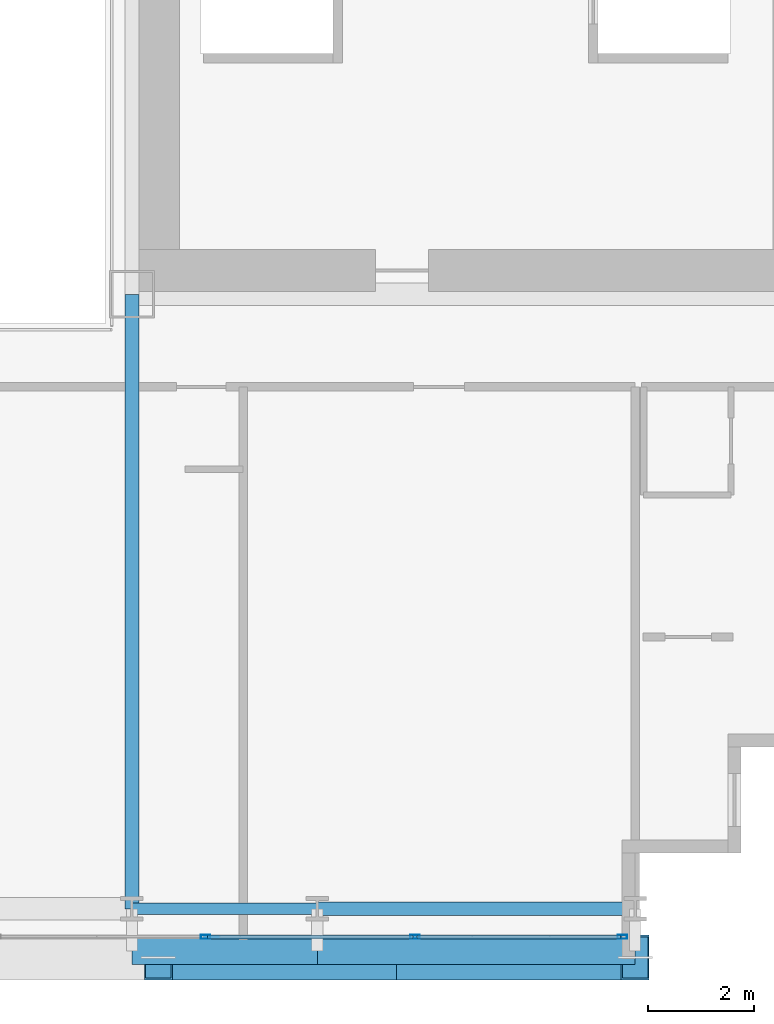
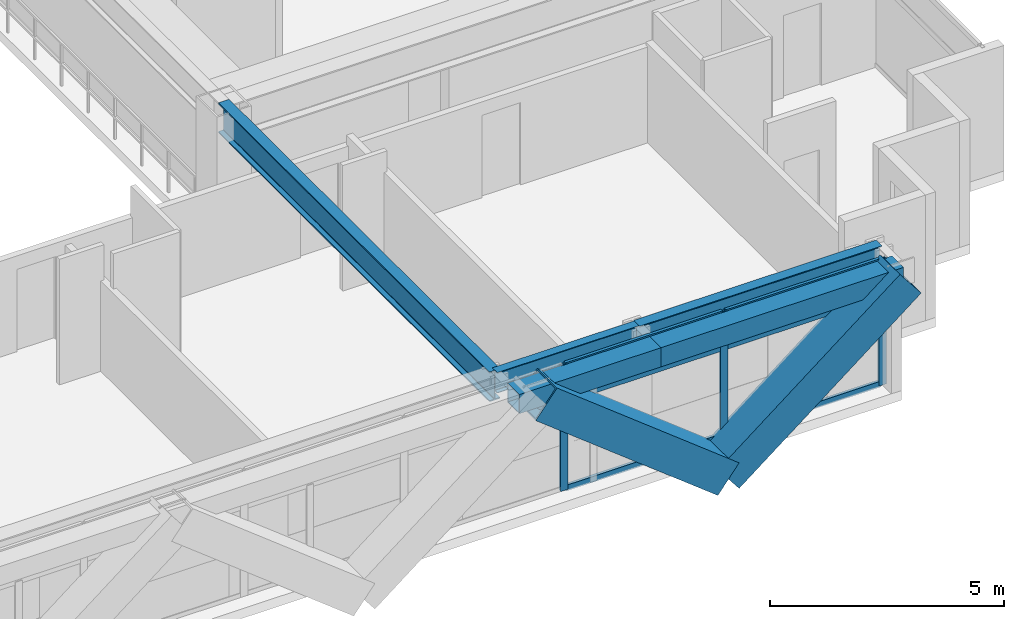
# One storey, part 10 of 35: 11 members, 5 beams, 1 element without a shape of its own.
"""IFC4 building model written with IfcOpenShell, lengths in metres."""

from ifc_helpers import new_model, si_unit, direction, frame, origin, origin_2d, place, context, subcontext, project, spatial, hollow_rectangle, i_section, extrude, source, transform, mapped, material, layer, layer_set, material_profile, profile_set, type_object, element, aggregate, save


model = new_model("IFC4")

# Units and contexts
model_context = context("Model", 3, precision=1e-05, world=origin(), true_north=direction((0.0, 1.0)))
body_context = subcontext(model_context, "Body", "Model", "MODEL_VIEW")
ifc_project = project(units=[si_unit("LENGTHUNIT", "METRE"), si_unit("AREAUNIT", "SQUARE_METRE"), si_unit("VOLUMEUNIT", "CUBIC_METRE"), si_unit("PLANEANGLEUNIT", "RADIAN"), si_unit("MASSUNIT", "GRAM", prefix="KILO")], contexts=[model_context])

# Site, building, storey
site_placement = place(None, origin())
site = spatial("IfcSite", under=ifc_project, at=site_placement, CompositionType="ELEMENT")
building_placement = place(site_placement, origin())
building = spatial("IfcBuilding", under=site, at=building_placement, Name="Ocotamira Hotel", CompositionType="ELEMENT")
storey_placement = place(building_placement, frame((0.0, 0.0, 81.60009765625)))
storey = spatial("IfcBuildingStorey", under=building, at=storey_placement, Name="L20", CompositionType="ELEMENT", Elevation=81.60009765625)

# Beams
ifc_material_1 = material(Name="Steel ASTM A992 Grade 50", Category="steel")
ifc_material_profile_1 = material_profile(ifc_material_1, i_section(OverallWidth=0.256103515625, OverallDepth=0.693115234375, WebThickness=0.014404296875, FlangeThickness=0.023681640625, FilletRadius=0.01611328125, at=origin_2d()), Name="W27X114")
ifc_profile_set_1 = profile_set([ifc_material_profile_1], Name="Steel ASTM A992 Grade 50")
beam_type_1 = type_object("IfcBeamType", Name="BM-PRIM-W27X114", PredefinedType="BEAM", material=ifc_profile_set_1)
shared_shape_1 = source(origin(), body_context, "Body", "SweptSolid", [
    extrude(i_section(OverallWidth=0.256103515625, OverallDepth=0.693115234375, WebThickness=0.014404296875, FlangeThickness=0.023681640625, FilletRadius=0.01611328125, at=origin_2d()), origin(), (0.0, 0.0, 1.0), 6.0),
])
beam_1_placement = place(storey_placement, frame((44.0, 2.949951171875, 2.933349609375), z_axis=(1.0, 0.0, 0.0), x_axis=(0.0, 1.0, 0.0)))
element("IfcBeam", 1, at=beam_1_placement, inside=storey, type_object=beam_type_1, Name="L20 Girder Y2.95 X44-50", PredefinedType="BEAM", context=body_context, shape_type="MappedRepresentation", body=[
    mapped(shared_shape_1, transform((0.0, 0.0, 0.0), scale=1.0)),
])
ifc_material_profile_2 = material_profile(ifc_material_1, i_section(OverallWidth=0.2099609375, OverallDepth=0.537109375, WebThickness=0.010986328125, FlangeThickness=0.017333984375, FilletRadius=0.012939453125, at=origin_2d()), Name="W21X68")
ifc_profile_set_2 = profile_set([ifc_material_profile_2], Name="Steel ASTM A992 Grade 50")
beam_type_2 = type_object("IfcBeamType", Name="BM-SEC-W21X68", PredefinedType="JOIST", material=ifc_profile_set_2)
shared_shape_2 = source(origin(), body_context, "Body", "SweptSolid", [
    extrude(i_section(OverallWidth=0.2099609375, OverallDepth=0.537109375, WebThickness=0.010986328125, FlangeThickness=0.017333984375, FilletRadius=0.012939453125, at=origin_2d()), origin(), (0.0, 0.0, 1.0), 3.5),
])
beam_2_placement = place(storey_placement, frame((40.5, 2.949951171875, 3.011474609375), z_axis=(1.0, 0.0, 0.0), x_axis=(0.0, 1.0, 0.0)))
element("IfcBeam", 2, at=beam_2_placement, inside=storey, type_object=beam_type_2, Name="L20 Girder Y2.95 X40.5-44", PredefinedType="JOIST", context=body_context, shape_type="MappedRepresentation", body=[
    mapped(shared_shape_2, transform((0.0, 0.0, 0.0), scale=1.0)),
])
ifc_material_profile_3 = material_profile(ifc_material_1, i_section(OverallWidth=0.26611328125, OverallDepth=0.779052734375, WebThickness=0.0166015625, FlangeThickness=0.030029296875, FilletRadius=0.01806640625, at=origin_2d()), Name="W30X148")
ifc_profile_set_3 = profile_set([ifc_material_profile_3], Name="Steel ASTM A992 Grade 50")
beam_type_3 = type_object("IfcBeamType", Name="BM-GIRD-W30X148", PredefinedType="BEAM", material=ifc_profile_set_3)
shared_shape_3 = source(origin(), body_context, "Body", "SweptSolid", [
    extrude(i_section(OverallWidth=0.26611328125, OverallDepth=0.779052734375, WebThickness=0.0166015625, FlangeThickness=0.030029296875, FilletRadius=0.01806640625, at=origin_2d()), origin(), (0.0, 0.0, 1.0), 11.60009765625),
])
beam_3_placement = place(storey_placement, frame((40.5, 2.949951171875, 2.890380859375), z_axis=(0.0, 1.0, 0.0), x_axis=(-1.0, 0.0, 0.0)))
element("IfcBeam", 3, at=beam_3_placement, inside=storey, type_object=beam_type_3, Name="L20 Beam X40.5 Y2.95-14.55", PredefinedType="BEAM", context=body_context, shape_type="MappedRepresentation", body=[
    mapped(shared_shape_3, transform((0.0, 0.0, 0.0), scale=1.0)),
])
ifc_material_2 = material(Name="Steel ASTM A500 Grade C", Category="steel")
ifc_material_profile_4 = material_profile(ifc_material_2, hollow_rectangle(XDim=0.5, YDim=0.5, WallThickness=0.02001953125, at=origin_2d()), Name="HSS500X500X20")
ifc_profile_set_4 = profile_set([ifc_material_profile_4], Name="Steel ASTM A500 Grade C")
beam_type_4 = type_object("IfcBeamType", Name="BM-SPAN-HSS500", PredefinedType="USERDEFINED", material=ifc_profile_set_4)
shared_shape_4 = source(origin(), body_context, "Body", "SweptSolid", [
    extrude(hollow_rectangle(XDim=0.5, YDim=0.5, WallThickness=0.02001953125, at=origin_2d()), origin(), (0.0, 0.0, 1.0), 6.0),
])
beam_4_placement = place(storey_placement, frame((44.0, 2.14990234375, 3.02978515625), z_axis=(1.0, 0.0, 0.0), x_axis=(0.0, 1.0, 0.0)))
element("IfcBeam", 4, at=beam_4_placement, inside=storey, type_object=beam_type_4, Name="L20 Edge Spandrel S X44-50", ObjectType="SPANDREL", PredefinedType="USERDEFINED", context=body_context, shape_type="MappedRepresentation", body=[
    mapped(shared_shape_4, transform((0.0, 0.0, 0.0), scale=1.0)),
])
shared_shape_5 = source(origin(), body_context, "Body", "SweptSolid", [
    extrude(hollow_rectangle(XDim=0.5, YDim=0.5, WallThickness=0.02001953125, at=origin_2d()), origin(), (0.0, 0.0, 1.0), 3.5),
])
beam_5_placement = place(storey_placement, frame((40.5, 2.14990234375, 3.02978515625), z_axis=(1.0, 0.0, 0.0), x_axis=(0.0, 1.0, 0.0)))
element("IfcBeam", 5, at=beam_5_placement, inside=storey, type_object=beam_type_4, Name="L20 Edge Spandrel S X40.5-44", ObjectType="SPANDREL", PredefinedType="USERDEFINED", context=body_context, shape_type="MappedRepresentation", body=[
    mapped(shared_shape_5, transform((0.0, 0.0, 0.0), scale=1.0)),
])

# Members
ifc_material_3 = material(Name="Pale-metal coated steel ASTM A913 Grade 65", Category="steel")
ifc_material_profile_5 = material_profile(ifc_material_3, hollow_rectangle(XDim=0.85009765625, YDim=0.85009765625, WallThickness=0.035888671875, at=origin_2d()), Name="BOX850X850X36")
ifc_profile_set_5 = profile_set([ifc_material_profile_5], Name="Pale-metal coated steel ASTM A913 Grade 65")
member_type_1 = type_object("IfcMemberType", Name="MEM-EXO-BOX850", PredefinedType="BRACE", material=ifc_profile_set_5)
shared_shape_6 = source(origin(), body_context, "Body", "SweptSolid", [
    extrude(hollow_rectangle(XDim=0.85009765625, YDim=0.85009765625, WallThickness=0.035888671875, at=origin_2d()), origin(), (0.0, 0.0, 1.0), 5.71923828125),
])
for number, where, z_axis, x_axis, name in (
    (6, (45.5, 2.030029296875, -0.5), (-0.786821712922, 0.0, 0.617180356197), (0.0, -1.0, 0.0), "L20 Exoskeleton Diagrid S3.1"),
    (7, (45.5, 2.030029296875, -0.5), (0.786821712922, 0.0, 0.617180356197), (0.0, 1.0, 0.0), "L20 Exoskeleton Diagrid S3.2"),
):
    element("IfcMember", number, at=place(storey_placement, frame(where, z_axis=z_axis, x_axis=x_axis)), inside=storey, type_object=member_type_1, Name=name, PredefinedType="BRACE", context=body_context, shape_type="MappedRepresentation", body=[
        mapped(shared_shape_6, transform((0.0, 0.0, 0.0), scale=1.0)),
    ])

# Curtain wall, members
ifc_material_4 = material(Name="Anodised pale-metal aluminium and solar glass", Category="aluminium")
ifc_layer = layer(ifc_material_4, 0.179931640625)
ifc_layer_set = layer_set([ifc_layer], Name="Anodised pale-metal aluminium and solar glass")
curtain_wall_type = type_object("IfcCurtainWallType", Name="CW-SYS2-Z1", PredefinedType="NOTDEFINED", material=ifc_layer_set)
curtain_wall_placement = place(storey_placement, origin())
curtain_wall = element("IfcCurtainWall", 8, at=curtain_wall_placement, inside=storey, type_object=curtain_wall_type, Name="L20 Curtain Wall CW-2 CW-L20-S1", PredefinedType="NOTDEFINED")
ifc_material_5 = material(Name="Anodised pale-metal aluminium 6063-T6", Category="aluminium")
ifc_material_profile_6 = material_profile(ifc_material_5, hollow_rectangle(XDim=0.074951171875, YDim=0.14990234375, WallThickness=0.006103515625, at=origin_2d()), Name="HSS150X75X6")
ifc_profile_set_6 = profile_set([ifc_material_profile_6], Name="Anodised pale-metal aluminium 6063-T6")
member_type_2 = type_object("IfcMemberType", Name="CWT-150X75", PredefinedType="USERDEFINED", material=ifc_profile_set_6)
shared_shape_7 = source(origin(), body_context, "Body", "SweptSolid", [
    extrude(hollow_rectangle(XDim=0.074951171875, YDim=0.14990234375, WallThickness=0.006103515625, at=origin_2d()), origin(), (0.0, 0.0, 1.0), 3.83544921875),
])
member_1_placement = place(storey_placement, frame((45.884521484375, 2.419921875, 0.037353515625), z_axis=(1.0, 0.0, 0.0), x_axis=(0.0, 1.0, 0.0)))
member_1 = element("IfcMember", 9, at=member_1_placement, type_object=member_type_2, Name="CW-2 transom 9.1", ObjectType="TRANSOM", PredefinedType="USERDEFINED", context=body_context, shape_type="MappedRepresentation", body=[
    mapped(shared_shape_7, transform((0.0, 0.0, 0.0), scale=1.0)),
])
member_2_placement = place(storey_placement, frame((45.884521484375, 2.419921875, 2.349853515625), z_axis=(1.0, 0.0, 0.0), x_axis=(0.0, 1.0, 0.0)))
member_2 = element("IfcMember", 10, at=member_2_placement, type_object=member_type_2, Name="CW-2 transom 9.2", ObjectType="TRANSOM", PredefinedType="USERDEFINED", context=body_context, shape_type="MappedRepresentation", body=[
    mapped(shared_shape_7, transform((0.0, 0.0, 0.0), scale=1.0)),
])
member_3_placement = place(storey_placement, frame((45.884521484375, 2.419921875, 3.242431640625), z_axis=(1.0, 0.0, 0.0), x_axis=(0.0, 1.0, 0.0)))
member_3 = element("IfcMember", 11, at=member_3_placement, type_object=member_type_2, Name="CW-2 transom 9.3", ObjectType="TRANSOM", PredefinedType="USERDEFINED", context=body_context, shape_type="MappedRepresentation", body=[
    mapped(shared_shape_7, transform((0.0, 0.0, 0.0), scale=1.0)),
])
shared_shape_8 = source(origin(), body_context, "Body", "SweptSolid", [
    extrude(hollow_rectangle(XDim=0.074951171875, YDim=0.14990234375, WallThickness=0.006103515625, at=origin_2d()), origin(), (0.0, 0.0, 1.0), 3.87548828125),
])
member_4_placement = place(storey_placement, frame((41.928955078125, 2.419921875, 0.037353515625), z_axis=(1.0, 0.0, 0.0), x_axis=(0.0, 1.0, 0.0)))
member_4 = element("IfcMember", 12, at=member_4_placement, type_object=member_type_2, Name="CW-2 transom 8.1", ObjectType="TRANSOM", PredefinedType="USERDEFINED", context=body_context, shape_type="MappedRepresentation", body=[
    mapped(shared_shape_8, transform((0.0, 0.0, 0.0), scale=1.0)),
])
member_5_placement = place(storey_placement, frame((41.928955078125, 2.419921875, 2.349853515625), z_axis=(1.0, 0.0, 0.0), x_axis=(0.0, 1.0, 0.0)))
member_5 = element("IfcMember", 13, at=member_5_placement, type_object=member_type_2, Name="CW-2 transom 8.2", ObjectType="TRANSOM", PredefinedType="USERDEFINED", context=body_context, shape_type="MappedRepresentation", body=[
    mapped(shared_shape_8, transform((0.0, 0.0, 0.0), scale=1.0)),
])
member_6_placement = place(storey_placement, frame((41.928955078125, 2.419921875, 3.242431640625), z_axis=(1.0, 0.0, 0.0), x_axis=(0.0, 1.0, 0.0)))
member_6 = element("IfcMember", 14, at=member_6_placement, type_object=member_type_2, Name="CW-2 transom 8.3", ObjectType="TRANSOM", PredefinedType="USERDEFINED", context=body_context, shape_type="MappedRepresentation", body=[
    mapped(shared_shape_8, transform((0.0, 0.0, 0.0), scale=1.0)),
])
ifc_material_profile_7 = material_profile(ifc_material_5, hollow_rectangle(XDim=0.080078125, YDim=0.179931640625, WallThickness=0.006103515625, at=origin_2d()), Name="HSS180X80X6")
ifc_profile_set_7 = profile_set([ifc_material_profile_7], Name="Anodised pale-metal aluminium 6063-T6")
member_type_3 = type_object("IfcMemberType", Name="CWM-180X75", PredefinedType="MULLION", material=ifc_profile_set_7)
shared_shape_9 = source(origin(), body_context, "Body", "SweptSolid", [
    extrude(hollow_rectangle(XDim=0.080078125, YDim=0.179931640625, WallThickness=0.006103515625, at=origin_2d()), origin(), (0.0, 0.0, 1.0), 3.27978515625),
])
member_7_placement = place(storey_placement, frame((41.888916015625, 2.419921875, 0.0), z_axis=(0.0, 0.0, 1.0), x_axis=(0.0, 1.0, 0.0)))
member_7 = element("IfcMember", 15, at=member_7_placement, type_object=member_type_3, Name="CW-2 mullion 8", PredefinedType="MULLION", context=body_context, shape_type="MappedRepresentation", body=[
    mapped(shared_shape_9, transform((0.0, 0.0, 0.0), scale=1.0)),
])
member_8_placement = place(storey_placement, frame((45.844482421875, 2.419921875, 0.0), z_axis=(0.0, 0.0, 1.0), x_axis=(0.0, 1.0, 0.0)))
member_8 = element("IfcMember", 16, at=member_8_placement, type_object=member_type_3, Name="CW-2 mullion 9", PredefinedType="MULLION", context=body_context, shape_type="MappedRepresentation", body=[
    mapped(shared_shape_9, transform((0.0, 0.0, 0.0), scale=1.0)),
])
member_9_placement = place(storey_placement, frame((49.760009765625, 2.419921875, 0.0), z_axis=(0.0, 0.0, 1.0), x_axis=(0.0, 1.0, 0.0)))
member_9 = element("IfcMember", 17, at=member_9_placement, type_object=member_type_3, Name="CW-2 mullion 10", PredefinedType="MULLION", context=body_context, shape_type="MappedRepresentation", body=[
    mapped(shared_shape_9, transform((0.0, 0.0, 0.0), scale=1.0)),
])
aggregate(curtain_wall, [member_7, member_8, member_9, member_4, member_5, member_6, member_1, member_2, member_3])

save(model, "model.ifc")
